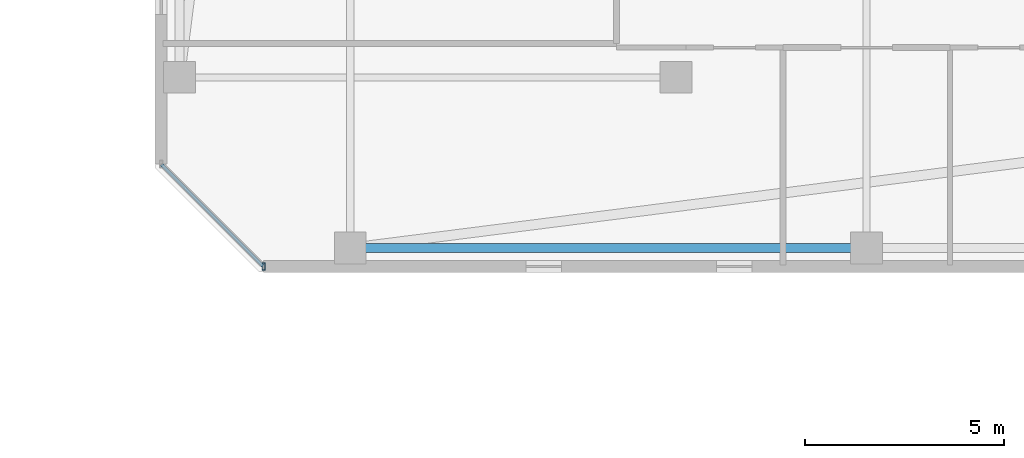
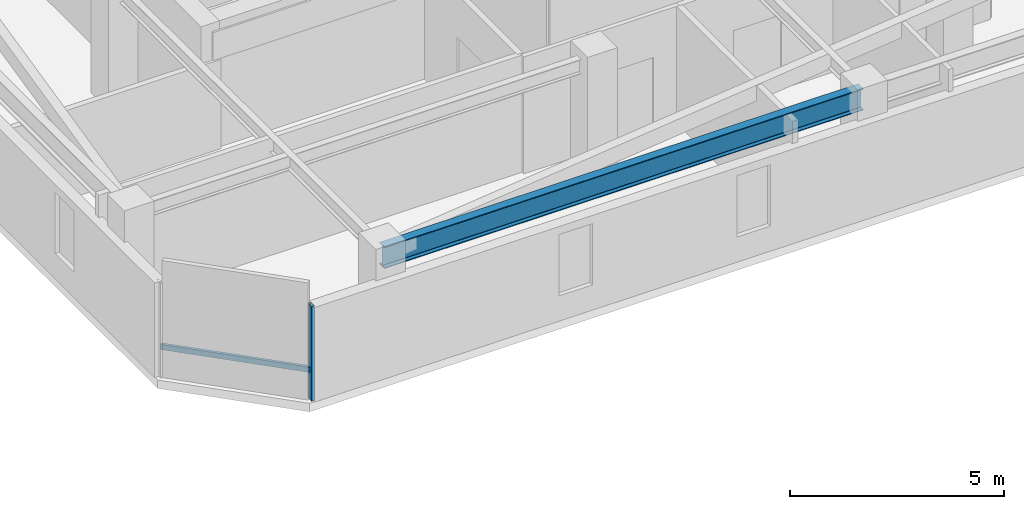
# One storey, part 14 of 34: 2 members, 1 beam, 1 element without a shape of its own.
"""IFC4 building model written with IfcOpenShell, lengths in metres."""

from ifc_helpers import new_model, si_unit, direction, frame, origin, origin_2d, place, context, subcontext, project, spatial, hollow_rectangle, i_section, extrude, material, material_profile, profile_set, type_object, element, aggregate, save


model = new_model("IFC4")

# Units and contexts
model_context = context("Model", 3, precision=1e-05, world=origin(), true_north=direction((0.0, 1.0)))
body_context = subcontext(model_context, "Body", "Model", "MODEL_VIEW")
ifc_project = project(units=[si_unit("LENGTHUNIT", "METRE"), si_unit("AREAUNIT", "SQUARE_METRE"), si_unit("VOLUMEUNIT", "CUBIC_METRE"), si_unit("PLANEANGLEUNIT", "RADIAN"), si_unit("MASSUNIT", "GRAM", prefix="KILO")], contexts=[model_context])

# Site, building, storey
site_placement = place(None, origin())
site = spatial("IfcSite", under=ifc_project, at=site_placement, CompositionType="ELEMENT")
building_placement = place(site_placement, origin())
building = spatial("IfcBuilding", under=site, at=building_placement, Name="Thornwick Lancets Civic Towers", CompositionType="ELEMENT")
storey_placement = place(building_placement, frame((0.0, 0.0, 261.89990234375)))
storey = spatial("IfcBuildingStorey", under=building, at=storey_placement, Name="L70", CompositionType="ELEMENT", Elevation=261.89990234375)

# Beam
ifc_material_1 = material(Name="Steel S355JR", Category="steel")
ifc_material_profile_1 = material_profile(ifc_material_1, i_section(OverallWidth=0.230224609375, OverallDepth=0.6171875, WebThickness=0.01318359375, FlangeThickness=0.022216796875, FilletRadius=0.0126953125, at=origin_2d()), Name="UKB 610x229x140")
ifc_profile_set_1 = profile_set([ifc_material_profile_1], Name="Steel S355JR")
beam_type = type_object("IfcBeamType", Name="BM_GIRD_610_140", PredefinedType="BEAM", material=ifc_profile_set_1)
beam_placement = place(storey_placement, frame((88.419921875, 9.699951171875, 3.051513671875), z_axis=(-1.0, 0.0, 0.0), x_axis=(0.0, -1.0, 0.0)))
element("IfcBeam", 1, at=beam_placement, inside=storey, type_object=beam_type, Name="BM-SPINE-L70-B-10-11", PredefinedType="BEAM", context=body_context, shape_type="SweptSolid", body=[
    extrude(i_section(OverallWidth=0.230224609375, OverallDepth=0.6171875, WebThickness=0.01318359375, FlangeThickness=0.022216796875, FilletRadius=0.0126953125, at=origin_2d()), origin(), (0.0, 0.0, 1.0), 12.919921875),
])

# Curtain wall, members
ifc_material_2 = material(Name="High-zone chamfered-corner unitised glass curtain wall", Category="glass")
curtain_wall_type = type_object("IfcCurtainWallType", Name="CW_SYS_05", PredefinedType="NOTDEFINED", material=ifc_material_2)
curtain_wall_placement = place(storey_placement, origin())
curtain_wall = element("IfcCurtainWall", 2, at=curtain_wall_placement, inside=storey, type_object=curtain_wall_type, Name="L70 Curtain Wall CW-L70-B-E7", PredefinedType="NOTDEFINED")
ifc_material_3 = material(Name="Thermally broken bronze aluminium S355", Category="steel")
ifc_material_profile_2 = material_profile(ifc_material_3, hollow_rectangle(XDim=0.074951171875, YDim=0.179931640625, WallThickness=0.006103515625, at=origin_2d()), Name="RHS 180x75x6")
ifc_profile_set_2 = profile_set([ifc_material_profile_2], Name="Thermally broken bronze aluminium S355")
member_type_1 = type_object("IfcMemberType", Name="CW_MUL_180", PredefinedType="MULLION", material=ifc_profile_set_2)
member_1_placement = place(storey_placement, frame((73.318603515625, 9.2353515625, 0.0), z_axis=(0.0, 0.0, 1.0), x_axis=(1.0, 0.0, 0.0)))
member_1 = element("IfcMember", 3, at=member_1_placement, type_object=member_type_1, Name="CW-L70-B-E7 Mullion 1", PredefinedType="MULLION", context=body_context, shape_type="SweptSolid", body=[
    extrude(hollow_rectangle(XDim=0.074951171875, YDim=0.179931640625, WallThickness=0.006103515625, at=origin_2d()), origin(), (0.0, 0.0, 1.0), 2.7001953125),
])
ifc_material_profile_3 = material_profile(ifc_material_3, hollow_rectangle(XDim=0.074951171875, YDim=0.14990234375, WallThickness=0.0048828125, at=origin_2d()), Name="RHS 150x75x5")
ifc_profile_set_3 = profile_set([ifc_material_profile_3], Name="Thermally broken bronze aluminium S355")
member_type_2 = type_object("IfcMemberType", Name="CW_TRN_150", PredefinedType="USERDEFINED", material=ifc_profile_set_3)
member_2_placement = place(storey_placement, frame((70.74951171875, 11.804443359375, 0.85009765625), z_axis=(0.707106781187, -0.707106781187, 0.0), x_axis=(0.707106781187, 0.707106781187, 0.0)))
member_2 = element("IfcMember", 4, at=member_2_placement, type_object=member_type_2, Name="CW-L70-B-E7 Transom 0", ObjectType="TRANSOM", PredefinedType="USERDEFINED", context=body_context, shape_type="SweptSolid", body=[
    extrude(hollow_rectangle(XDim=0.074951171875, YDim=0.14990234375, WallThickness=0.0048828125, at=origin_2d()), origin(), (0.0, 0.0, 1.0), 3.61328125),
])
aggregate(curtain_wall, [member_1, member_2])

save(model, "model.ifc")
